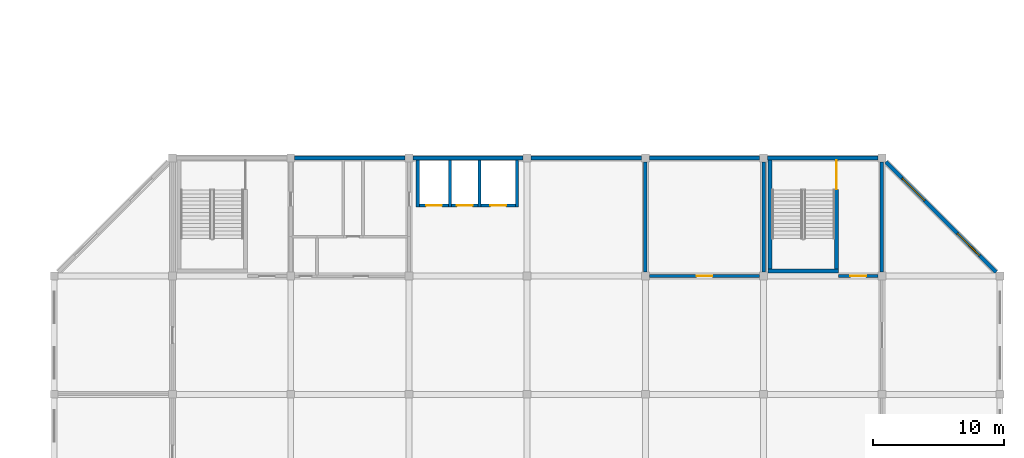
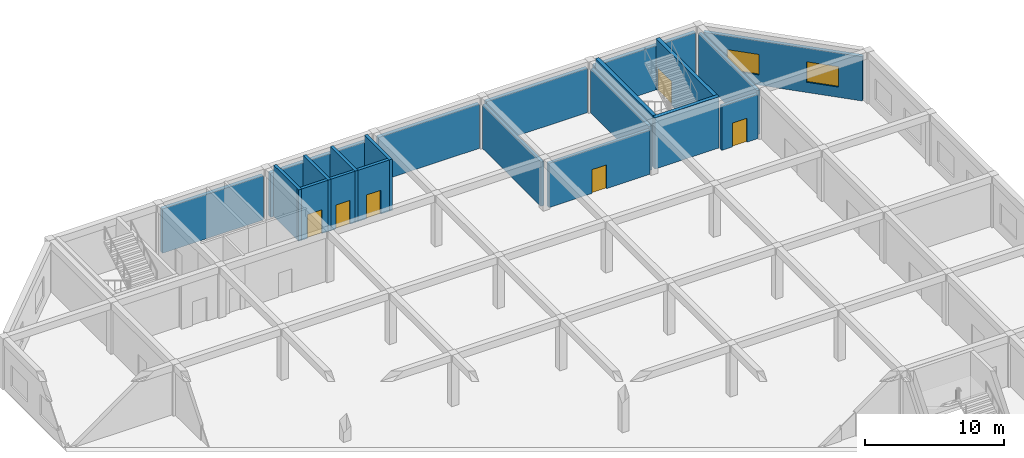
# One storey, part 16 of 27: 19 walls, 6 doors, 2 windows, 8 openings.
"""IFC4 building model written with IfcOpenShell, lengths in metres."""

from ifc_helpers import new_model, si_unit, direction, frame, frame_2d, origin, place, context, subcontext, project, spatial, rectangle, extrude, material, layer, layer_set, type_object, element, fill, save


model = new_model("IFC4")

# Units and contexts
model_context = context("Model", 3, precision=1e-05, world=origin(), true_north=direction((0.0, 1.0)))
body_context = subcontext(model_context, "Body", "Model", "MODEL_VIEW")
ifc_project = project(units=[si_unit("LENGTHUNIT", "METRE"), si_unit("AREAUNIT", "SQUARE_METRE"), si_unit("VOLUMEUNIT", "CUBIC_METRE"), si_unit("PLANEANGLEUNIT", "RADIAN"), si_unit("MASSUNIT", "GRAM", prefix="KILO")], contexts=[model_context])

# Site, building, storey
site_placement = place(None, origin())
site = spatial("IfcSite", under=ifc_project, at=site_placement, CompositionType="ELEMENT")
building_placement = place(site_placement, origin())
building = spatial("IfcBuilding", under=site, at=building_placement, Name="Dhurran Vertical Campus", CompositionType="ELEMENT")
storey_placement = place(building_placement, frame((0.0, 0.0, 10.800048828125)))
storey = spatial("IfcBuildingStorey", under=building, at=storey_placement, Name="L02", CompositionType="ELEMENT", Elevation=10.800048828125)

# Wall, openings, windows
ifc_material_1 = material(Name="Precast concrete C40/50", Category="concrete")
ifc_layer_1 = layer(ifc_material_1, 0.300048828125)
ifc_layer_set_1 = layer_set([ifc_layer_1], Name="Precast concrete C40/50")
wall_type_1 = type_object("IfcWallType", Name="hl-external wall precast 300", PredefinedType="SOLIDWALL", material=ifc_layer_set_1)
wall_1_placement = place(storey_placement, frame((133.199951171875, 18.300048828125, 0.0), z_axis=(0.0, 0.0, 1.0), x_axis=(-0.707106781187, 0.707106781187, 0.0)))
wall_1 = element("IfcWall", 1, at=wall_1_placement, inside=storey, type_object=wall_type_1, Name="Hall external wall L02-026", PredefinedType="SOLIDWALL", context=body_context, shape_type="SweptSolid", body=[
    extrude(rectangle(XDim=11.879150390625, YDim=0.300048828125, at=frame_2d((5.939453125, 0.0))), origin(), (0.0, 0.0, 1.0), 3.89990234375),
])
opening_1_placement = place(wall_1_placement, frame((1.769775390625, 0.0, 0.89990234375)))
opening_1 = element("IfcOpeningElement", 2, at=opening_1_placement, cuts=wall_1, Name="Opening HWN1", PredefinedType="OPENING", context=body_context, shape_type="SweptSolid", body=[
    extrude(rectangle(XDim=2.39990234375, YDim=1.800048828125, at=frame_2d((1.199951171875, 0.89990234375))), frame((0.0, 0.159912109375, 0.0), z_axis=(0.0, -1.0, 0.0), x_axis=(1.0, 0.0, 0.0)), (0.0, 0.0, 1.0), 0.320068359375),
])
opening_2_placement = place(wall_1_placement, frame((7.70947265625, 0.0, 0.89990234375)))
opening_2 = element("IfcOpeningElement", 3, at=opening_2_placement, cuts=wall_1, Name="Opening HWN1", PredefinedType="OPENING", context=body_context, shape_type="SweptSolid", body=[
    extrude(rectangle(XDim=2.39990234375, YDim=1.800048828125, at=frame_2d((1.199951171875, 0.89990234375))), frame((0.0, 0.159912109375, 0.0), z_axis=(0.0, -1.0, 0.0), x_axis=(1.0, 0.0, 0.0)), (0.0, 0.0, 1.0), 0.320068359375),
])
ifc_material_2 = material(Name="Aluminium", Category="aluminium")
window_type = type_object("IfcWindowType", Name="hl-window 2400x1800", PartitioningType="SINGLE_PANEL", PredefinedType="WINDOW", material=ifc_material_2)
window_1_placement = place(opening_1_placement, origin())
window_1 = element("IfcWindow", 4, at=window_1_placement, inside=storey, type_object=window_type, Name="Hall window L02-053", OverallHeight=1.800048828125, OverallWidth=2.39990234375, PartitioningType="SINGLE_PANEL", PredefinedType="WINDOW", context=body_context, shape_type="SweptSolid", body=[
    extrude(rectangle(XDim=2.39990234375, YDim=1.800048828125, at=frame_2d((1.199951171875, 0.89990234375))), frame((0.0, 0.030029296875, 0.0), z_axis=(0.0, -1.0, 0.0), x_axis=(1.0, 0.0, 0.0)), (0.0, 0.0, 1.0), 0.06005859375),
])
fill(opening_1, window_1)
window_2_placement = place(opening_2_placement, origin())
window_2 = element("IfcWindow", 5, at=window_2_placement, inside=storey, type_object=window_type, Name="Hall window L02-054", OverallHeight=1.800048828125, OverallWidth=2.39990234375, PartitioningType="SINGLE_PANEL", PredefinedType="WINDOW", context=body_context, shape_type="SweptSolid", body=[
    extrude(rectangle(XDim=2.39990234375, YDim=1.800048828125, at=frame_2d((1.199951171875, 0.89990234375))), frame((0.0, 0.030029296875, 0.0), z_axis=(0.0, -1.0, 0.0), x_axis=(1.0, 0.0, 0.0)), (0.0, 0.0, 1.0), 0.06005859375),
])
fill(opening_2, window_2)

# Walls
for number, where, z_axis, x_axis, name in (
    (6, (115.199951171875, 27.0, 0.0), (0.0, 0.0, 1.0), (-1.0, 0.0, 0.0), "Hall external wall L02-030"),
    (7, (106.199951171875, 27.0, 0.0), (0.0, 0.0, 1.0), (-1.0, 0.0, 0.0), "Hall external wall L02-032"),
    (8, (97.199951171875, 27.0, 0.0), (0.0, 0.0, 1.0), (-1.0, 0.0, 0.0), "Hall external wall L02-034"),
    (9, (88.199951171875, 27.0, 0.0), (0.0, 0.0, 1.0), (-1.0, 0.0, 0.0), "Hall external wall L02-036"),
):
    element("IfcWall", number, at=place(storey_placement, frame(where, z_axis=z_axis, x_axis=x_axis)), inside=storey, type_object=wall_type_1, Name=name, PredefinedType="SOLIDWALL", context=body_context, shape_type="SweptSolid", body=[
        extrude(rectangle(XDim=8.39990234375, YDim=0.300048828125, at=frame_2d((4.199951171875, 0.0))), origin(), (0.0, 0.0, 1.0), 3.89990234375),
    ])
ifc_material_3 = material(Name="Precast concrete C40/50", Category="concrete")
ifc_layer_2 = layer(ifc_material_3, 0.300048828125)
ifc_layer_set_2 = layer_set([ifc_layer_2], Name="Precast concrete C40/50")
wall_type_2 = type_object("IfcWallType", Name="hl-external wall precast 300 EI 120", PredefinedType="SOLIDWALL", material=ifc_layer_set_2)
wall_2_placement = place(storey_placement, frame((124.199951171875, 27.0, 0.0), z_axis=(0.0, 0.0, 1.0), x_axis=(-1.0, 0.0, 0.0)))
element("IfcWall", 10, at=wall_2_placement, inside=storey, type_object=wall_type_2, Name="Hall external wall L02-028", PredefinedType="SOLIDWALL", context=body_context, shape_type="SweptSolid", body=[
    extrude(rectangle(XDim=8.39990234375, YDim=0.300048828125, at=frame_2d((4.199951171875, 0.0))), origin(), (0.0, 0.0, 1.0), 3.89990234375),
])
ifc_material_4 = material(Name="Concrete C40/50", Category="concrete")
ifc_layer_3 = layer(ifc_material_4, 0.25)
ifc_layer_set_3 = layer_set([ifc_layer_3], Name="Concrete C40/50")
wall_type_3 = type_object("IfcWallType", Name="hl-lift shaft wall 250", PredefinedType="SHEAR", material=ifc_layer_set_3)
for number, where, z_axis, x_axis, name in (
    (11, (89.175048828125, 23.25, 0.0), (0.0, 0.0, 1.0), (0.0, 1.0, 0.0), "Lift shaft wall V0 L02"),
    (12, (91.625, 23.25, 0.0), (0.0, 0.0, 1.0), (0.0, 1.0, 0.0), "Lift shaft wall V1 L02"),
    (13, (93.875, 23.25, 0.0), (0.0, 0.0, 1.0), (0.0, 1.0, 0.0), "Lift shaft wall V2 L02"),
    (14, (96.72509765625, 23.25, 0.0), (0.0, 0.0, 1.0), (0.0, 1.0, 0.0), "Lift shaft wall V3 L02"),
):
    element("IfcWall", number, at=place(storey_placement, frame(where, z_axis=z_axis, x_axis=x_axis)), inside=storey, type_object=wall_type_3, Name=name, PredefinedType="SHEAR", context=body_context, shape_type="SweptSolid", body=[
        extrude(rectangle(XDim=3.60009765625, YDim=0.25, at=frame_2d((1.800048828125, 0.0))), origin(), (0.0, 0.0, 1.0), 4.52001953125),
    ])

# Wall, openings, doors
wall_3_placement = place(storey_placement, frame((89.050048828125, 23.375, 0.0), z_axis=(0.0, 0.0, 1.0), x_axis=(1.0, 0.0, 0.0)))
wall_3 = element("IfcWall", 15, at=wall_3_placement, inside=storey, type_object=wall_type_3, Name="Lift shaft front wall L02", PredefinedType="SHEAR", context=body_context, shape_type="SweptSolid", body=[
    extrude(rectangle(XDim=7.800048828125, YDim=0.25, at=frame_2d((3.89990234375, 0.0))), origin(), (0.0, 0.0, 1.0), 4.52001953125),
])
opening_3_placement = place(wall_3_placement, frame((0.75, 0.0, 0.0)))
opening_3 = element("IfcOpeningElement", 16, at=opening_3_placement, cuts=wall_3, Name="Opening LD", PredefinedType="OPENING", context=body_context, shape_type="SweptSolid", body=[
    extrude(rectangle(XDim=1.199951171875, YDim=2.10009765625, at=frame_2d((0.60009765625, 1.050048828125))), frame((0.0, 0.135009765625, 0.0), z_axis=(0.0, -1.0, 0.0), x_axis=(1.0, 0.0, 0.0)), (0.0, 0.0, 1.0), 0.27001953125),
])
opening_4_placement = place(wall_3_placement, frame((3.10009765625, 0.0, 0.0)))
opening_4 = element("IfcOpeningElement", 17, at=opening_4_placement, cuts=wall_3, Name="Opening LD", PredefinedType="OPENING", context=body_context, shape_type="SweptSolid", body=[
    extrude(rectangle(XDim=1.199951171875, YDim=2.10009765625, at=frame_2d((0.60009765625, 1.050048828125))), frame((0.0, 0.135009765625, 0.0), z_axis=(0.0, -1.0, 0.0), x_axis=(1.0, 0.0, 0.0)), (0.0, 0.0, 1.0), 0.27001953125),
])
opening_5_placement = place(wall_3_placement, frame((5.64990234375, 0.0, 0.0)))
opening_5 = element("IfcOpeningElement", 18, at=opening_5_placement, cuts=wall_3, Name="Opening LD", PredefinedType="OPENING", context=body_context, shape_type="SweptSolid", body=[
    extrude(rectangle(XDim=1.199951171875, YDim=2.10009765625, at=frame_2d((0.60009765625, 1.050048828125))), frame((0.0, 0.135009765625, 0.0), z_axis=(0.0, -1.0, 0.0), x_axis=(1.0, 0.0, 0.0)), (0.0, 0.0, 1.0), 0.27001953125),
])
ifc_material_5 = material(Name="Stainless steel landing door", Category="steel")
door_type_1 = type_object("IfcDoorType", Name="co-D-LANDING 1200x2100", OperationType="DOUBLE_DOOR_SLIDING", PredefinedType="DOOR", material=ifc_material_5)
door_1_placement = place(opening_3_placement, origin())
door_1 = element("IfcDoor", 19, at=door_1_placement, inside=storey, type_object=door_type_1, Name="Landing door HLF1 L02", OperationType="DOUBLE_DOOR_SLIDING", OverallHeight=2.10009765625, OverallWidth=1.199951171875, PredefinedType="DOOR", context=body_context, shape_type="SweptSolid", body=[
    extrude(rectangle(XDim=1.199951171875, YDim=2.10009765625, at=frame_2d((0.60009765625, 1.050048828125))), frame((0.0, 0.02490234375, 0.0), z_axis=(0.0, -1.0, 0.0), x_axis=(1.0, 0.0, 0.0)), (0.0, 0.0, 1.0), 0.050048828125),
])
fill(opening_3, door_1)
door_2_placement = place(opening_4_placement, origin())
door_2 = element("IfcDoor", 20, at=door_2_placement, inside=storey, type_object=door_type_1, Name="Landing door HLF2 L02", OperationType="DOUBLE_DOOR_SLIDING", OverallHeight=2.10009765625, OverallWidth=1.199951171875, PredefinedType="DOOR", context=body_context, shape_type="SweptSolid", body=[
    extrude(rectangle(XDim=1.199951171875, YDim=2.10009765625, at=frame_2d((0.60009765625, 1.050048828125))), frame((0.0, 0.02490234375, 0.0), z_axis=(0.0, -1.0, 0.0), x_axis=(1.0, 0.0, 0.0)), (0.0, 0.0, 1.0), 0.050048828125),
])
fill(opening_4, door_2)
door_3_placement = place(opening_5_placement, origin())
door_3 = element("IfcDoor", 21, at=door_3_placement, inside=storey, type_object=door_type_1, Name="Landing door HLF3 L02", OperationType="DOUBLE_DOOR_SLIDING", OverallHeight=2.10009765625, OverallWidth=1.199951171875, PredefinedType="DOOR", context=body_context, shape_type="SweptSolid", body=[
    extrude(rectangle(XDim=1.199951171875, YDim=2.10009765625, at=frame_2d((0.60009765625, 1.050048828125))), frame((0.0, 0.02490234375, 0.0), z_axis=(0.0, -1.0, 0.0), x_axis=(1.0, 0.0, 0.0)), (0.0, 0.0, 1.0), 0.050048828125),
])
fill(opening_5, door_3)

# Wall
ifc_material_6 = material(Name="Masonry blockwork", Category="masonry")
ifc_layer_4 = layer(ifc_material_6, 0.25)
ifc_layer_set_4 = layer_set([ifc_layer_4], Name="Masonry blockwork")
wall_type_4 = type_object("IfcWallType", Name="hl-partition blockwork 250 EI 120", PredefinedType="PARTITIONING", material=ifc_layer_set_4)
wall_4_placement = place(storey_placement, frame((106.5, 18.300048828125, 0.0), z_axis=(0.0, 0.0, 1.0), x_axis=(0.0, 1.0, 0.0)))
element("IfcWall", 22, at=wall_4_placement, inside=storey, type_object=wall_type_4, Name="Hall partition L02-030", PredefinedType="PARTITIONING", context=body_context, shape_type="SweptSolid", body=[
    extrude(rectangle(XDim=8.39990234375, YDim=0.25, at=frame_2d((4.199951171875, 0.0))), origin(), (0.0, 0.0, 1.0), 3.89990234375),
])

# Wall, opening, door
wall_5_placement = place(storey_placement, frame((106.800048828125, 18.0, 0.0), z_axis=(0.0, 0.0, 1.0), x_axis=(1.0, 0.0, 0.0)))
wall_5 = element("IfcWall", 23, at=wall_5_placement, inside=storey, type_object=wall_type_4, Name="Hall partition L02-031", PredefinedType="PARTITIONING", context=body_context, shape_type="SweptSolid", body=[
    extrude(rectangle(XDim=8.39990234375, YDim=0.25, at=frame_2d((4.199951171875, 0.0))), origin(), (0.0, 0.0, 1.0), 3.89990234375),
])
opening_6_placement = place(wall_5_placement, frame((3.60009765625, 0.0, 0.0)))
opening_6 = element("IfcOpeningElement", 24, at=opening_6_placement, cuts=wall_5, Name="Opening HD222", PredefinedType="OPENING", context=body_context, shape_type="SweptSolid", body=[
    extrude(rectangle(XDim=1.199951171875, YDim=2.10009765625, at=frame_2d((0.60009765625, 1.050048828125))), frame((0.0, 0.135009765625, 0.0), z_axis=(0.0, -1.0, 0.0), x_axis=(1.0, 0.0, 0.0)), (0.0, 0.0, 1.0), 0.27001953125),
])
ifc_material_7 = material(Name="Fire-rated steel door set", Category="steel")
door_type_2 = type_object("IfcDoorType", Name="hl-door 1200x2100 single FD90", OperationType="NOTDEFINED", PredefinedType="DOOR", material=ifc_material_7)
door_4_placement = place(opening_6_placement, origin())
door_4 = element("IfcDoor", 25, at=door_4_placement, inside=storey, type_object=door_type_2, Name="Door HD222", OperationType="SINGLE_SWING_RIGHT", OverallHeight=2.10009765625, OverallWidth=1.199951171875, PredefinedType="DOOR", context=body_context, shape_type="SweptSolid", body=[
    extrude(rectangle(XDim=1.199951171875, YDim=2.10009765625, at=frame_2d((0.60009765625, 1.050048828125))), frame((0.0, 0.02490234375, 0.0), z_axis=(0.0, -1.0, 0.0), x_axis=(1.0, 0.0, 0.0)), (0.0, 0.0, 1.0), 0.050048828125),
])
fill(opening_6, door_4)

# Wall
wall_6_placement = place(storey_placement, frame((115.5, 18.300048828125, 0.0), z_axis=(0.0, 0.0, 1.0), x_axis=(0.0, 1.0, 0.0)))
element("IfcWall", 26, at=wall_6_placement, inside=storey, type_object=wall_type_4, Name="Hall partition L02-033", PredefinedType="PARTITIONING", context=body_context, shape_type="SweptSolid", body=[
    extrude(rectangle(XDim=8.39990234375, YDim=0.25, at=frame_2d((4.199951171875, 0.0))), origin(), (0.0, 0.0, 1.0), 3.89990234375),
])

# Wall, opening, door
wall_7_placement = place(storey_placement, frame((121.199951171875, 18.0, 0.0), z_axis=(0.0, 0.0, 1.0), x_axis=(1.0, 0.0, 0.0)))
wall_7 = element("IfcWall", 27, at=wall_7_placement, inside=storey, type_object=wall_type_4, Name="Hall partition L02-035", PredefinedType="PARTITIONING", context=body_context, shape_type="SweptSolid", body=[
    extrude(rectangle(XDim=3.0, YDim=0.25, at=frame_2d((1.5, 0.0))), origin(), (0.0, 0.0, 1.0), 3.89990234375),
])
opening_7_placement = place(wall_7_placement, frame((0.89990234375, 0.0, 0.0)))
opening_7 = element("IfcOpeningElement", 28, at=opening_7_placement, cuts=wall_7, Name="Opening HD204", PredefinedType="OPENING", context=body_context, shape_type="SweptSolid", body=[
    extrude(rectangle(XDim=1.199951171875, YDim=2.10009765625, at=frame_2d((0.60009765625, 1.050048828125))), frame((0.0, 0.135009765625, 0.0), z_axis=(0.0, -1.0, 0.0), x_axis=(1.0, 0.0, 0.0)), (0.0, 0.0, 1.0), 0.27001953125),
])
door_5_placement = place(opening_7_placement, origin())
door_5 = element("IfcDoor", 29, at=door_5_placement, inside=storey, type_object=door_type_2, Name="Door HD204", OperationType="SINGLE_SWING_RIGHT", OverallHeight=2.10009765625, OverallWidth=1.199951171875, PredefinedType="DOOR", context=body_context, shape_type="SweptSolid", body=[
    extrude(rectangle(XDim=1.199951171875, YDim=2.10009765625, at=frame_2d((0.60009765625, 1.050048828125))), frame((0.0, 0.02490234375, 0.0), z_axis=(0.0, -1.0, 0.0), x_axis=(1.0, 0.0, 0.0)), (0.0, 0.0, 1.0), 0.050048828125),
])
fill(opening_7, door_5)

# Walls
wall_8_placement = place(storey_placement, frame((124.5, 18.300048828125, 0.0), z_axis=(0.0, 0.0, 1.0), x_axis=(0.0, 1.0, 0.0)))
element("IfcWall", 30, at=wall_8_placement, inside=storey, type_object=wall_type_4, Name="Hall partition L02-042", PredefinedType="PARTITIONING", context=body_context, shape_type="SweptSolid", body=[
    extrude(rectangle(XDim=8.39990234375, YDim=0.25, at=frame_2d((4.199951171875, 0.0))), origin(), (0.0, 0.0, 1.0), 3.89990234375),
])
ifc_material_8 = material(Name="Concrete C40/50", Category="concrete")
ifc_layer_5 = layer(ifc_material_8, 0.300048828125)
ifc_layer_set_5 = layer_set([ifc_layer_5], Name="Concrete C40/50")
wall_type_5 = type_object("IfcWallType", Name="hl-stair shaft wall 300", PredefinedType="SHEAR", material=ifc_layer_set_5)
wall_9_placement = place(storey_placement, frame((116.0, 26.85009765625, 0.0), z_axis=(0.0, 0.0, 1.0), x_axis=(0.0, -1.0, 0.0)))
element("IfcWall", 31, at=wall_9_placement, inside=storey, type_object=wall_type_5, Name="Stair shaft wall HST2 W L02", PredefinedType="SHEAR", context=body_context, shape_type="SweptSolid", body=[
    extrude(rectangle(XDim=8.300048828125, YDim=0.300048828125, at=frame_2d((4.14990234375, 0.0))), origin(), (0.0, 0.0, 1.0), 4.52001953125),
])

# Wall, opening, door
wall_10_placement = place(storey_placement, frame((121.050048828125, 26.85009765625, 0.0), z_axis=(0.0, 0.0, 1.0), x_axis=(0.0, -1.0, 0.0)))
wall_10 = element("IfcWall", 32, at=wall_10_placement, inside=storey, type_object=wall_type_5, Name="Stair shaft wall HST2 E L02", PredefinedType="SHEAR", context=body_context, shape_type="SweptSolid", body=[
    extrude(rectangle(XDim=8.300048828125, YDim=0.300048828125, at=frame_2d((4.14990234375, 0.0))), origin(), (0.0, 0.0, 1.0), 4.52001953125),
])
opening_8_placement = place(wall_10_placement, frame((0.050048828125, 0.0, 0.0)))
opening_8 = element("IfcOpeningElement", 33, at=opening_8_placement, cuts=wall_10, Name="Opening HDS22", PredefinedType="OPENING", context=body_context, shape_type="SweptSolid", body=[
    extrude(rectangle(XDim=2.199951171875, YDim=2.10009765625, at=frame_2d((1.10009765625, 1.050048828125))), frame((0.0, 0.159912109375, 0.0), z_axis=(0.0, -1.0, 0.0), x_axis=(1.0, 0.0, 0.0)), (0.0, 0.0, 1.0), 0.320068359375),
])
ifc_material_9 = material(Name="Fire-rated steel door set", Category="steel")
door_type_3 = type_object("IfcDoorType", Name="hl-door 2200x2100 double FD90", OperationType="NOTDEFINED", PredefinedType="DOOR", material=ifc_material_9)
door_6_placement = place(opening_8_placement, origin())
door_6 = element("IfcDoor", 34, at=door_6_placement, inside=storey, type_object=door_type_3, Name="Door HDS22", OperationType="DOUBLE_DOOR_SINGLE_SWING", OverallHeight=2.10009765625, OverallWidth=2.199951171875, PredefinedType="DOOR", context=body_context, shape_type="SweptSolid", body=[
    extrude(rectangle(XDim=2.199951171875, YDim=2.10009765625, at=frame_2d((1.10009765625, 1.050048828125))), frame((0.0, 0.02490234375, 0.0), z_axis=(0.0, -1.0, 0.0), x_axis=(1.0, 0.0, 0.0)), (0.0, 0.0, 1.0), 0.050048828125),
])
fill(opening_8, door_6)

# Wall
wall_11_placement = place(storey_placement, frame((115.85009765625, 18.39990234375, 0.0), z_axis=(0.0, 0.0, 1.0), x_axis=(1.0, 0.0, 0.0)))
element("IfcWall", 35, at=wall_11_placement, inside=storey, type_object=wall_type_5, Name="Stair shaft wall HST2 F L02", PredefinedType="SHEAR", context=body_context, shape_type="SweptSolid", body=[
    extrude(rectangle(XDim=5.349853515625, YDim=0.300048828125, at=frame_2d((2.6748046875, 0.0))), origin(), (0.0, 0.0, 1.0), 4.52001953125),
])

save(model, "model.ifc")
